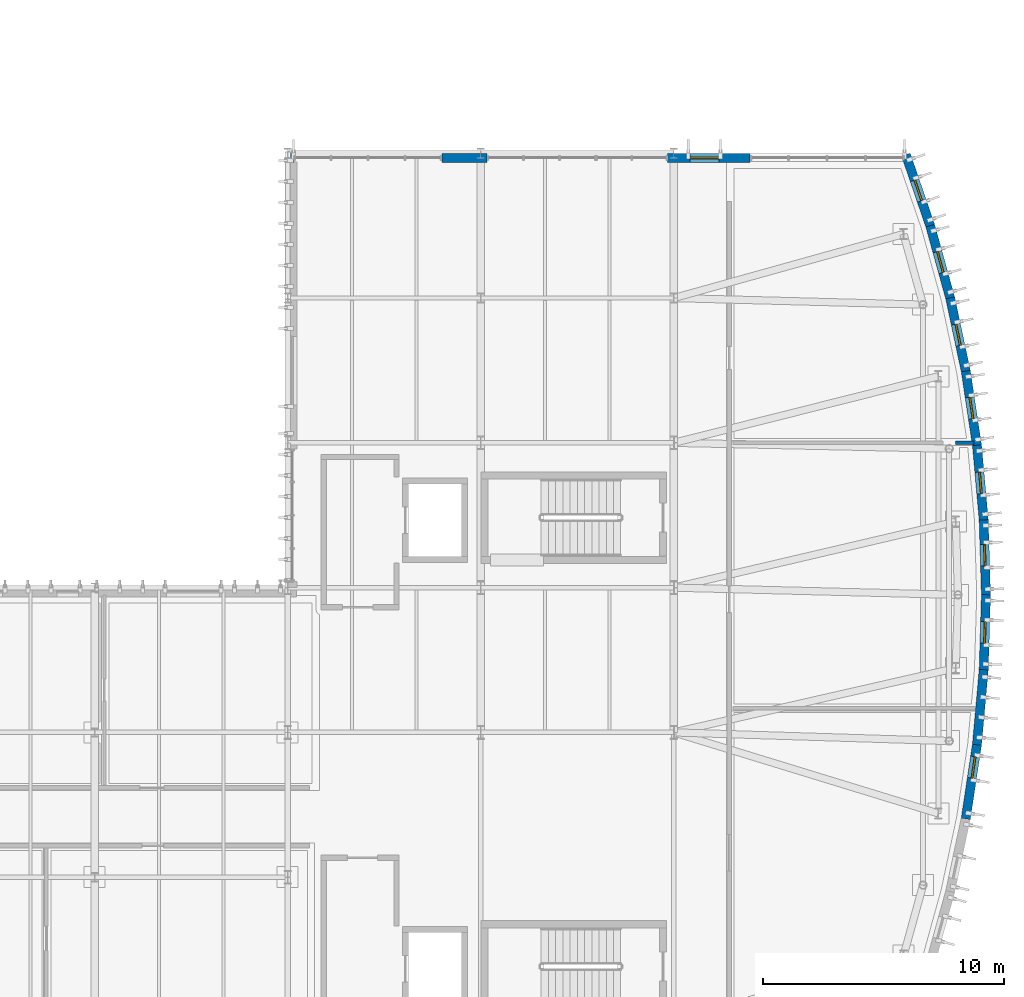
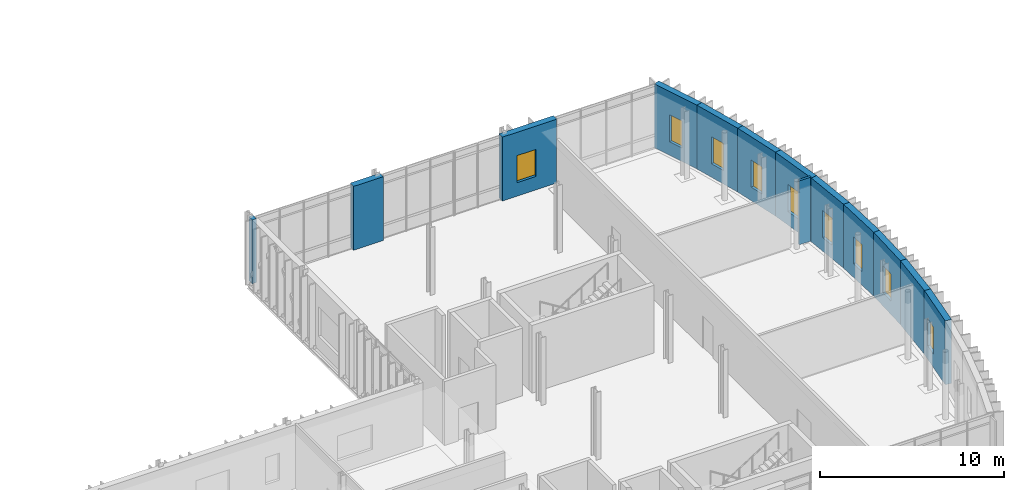
# One storey, part 66 of 86: 13 walls, 9 windows, 9 openings.
"""IFC4 building model written with IfcOpenShell, lengths in metres."""

from ifc_helpers import new_model, si_unit, direction, frame, frame_2d, origin, place, context, subcontext, project, spatial, rectangle, extrude, material, layer, layer_set, type_object, element, fill, save


model = new_model("IFC4")

# Units and contexts
model_context = context("Model", 3, precision=1e-05, world=origin(), true_north=direction((0.0, 1.0)))
body_context = subcontext(model_context, "Body", "Model", "MODEL_VIEW")
ifc_project = project(units=[si_unit("LENGTHUNIT", "METRE"), si_unit("AREAUNIT", "SQUARE_METRE"), si_unit("VOLUMEUNIT", "CUBIC_METRE"), si_unit("PLANEANGLEUNIT", "RADIAN"), si_unit("MASSUNIT", "GRAM", prefix="KILO")], contexts=[model_context])

# Site, building, storey
site_placement = place(None, origin())
site = spatial("IfcSite", under=ifc_project, at=site_placement, CompositionType="ELEMENT")
building_placement = place(site_placement, origin())
building = spatial("IfcBuilding", under=site, at=building_placement, Name="Cymarion Research Institute", CompositionType="ELEMENT")
storey_placement = place(building_placement, frame((0.0, 0.0, 13.800048828125)))
storey = spatial("IfcBuildingStorey", under=building, at=storey_placement, Name="L03", CompositionType="ELEMENT", Elevation=13.800048828125)

# Wall, opening, window
ifc_material_1 = material(Name="Precast concrete C40/50", Category="concrete")
ifc_layer_1 = layer(ifc_material_1, 0.3798828125)
ifc_layer_set_1 = layer_set([ifc_layer_1], Name="Precast concrete C40/50")
wall_type_1 = type_object("IfcWallType", Name="EXTERIOR WALL EW-PC380 380MM", PredefinedType="SOLIDWALL", material=ifc_layer_set_1)
wall_1_placement = place(storey_placement, frame((166.698486328125, 13.91650390625, 0.0), z_axis=(0.0, 0.0, 1.0), x_axis=(0.149218139282, 0.988804301624, 0.0)))
wall_1 = element("IfcWall", 1, at=wall_1_placement, inside=storey, type_object=wall_type_1, Name="L03 V1 exterior wall EW-PC380 #165", PredefinedType="SOLIDWALL", context=body_context, shape_type="SweptSolid", body=[
    extrude(rectangle(XDim=3.128173828125, YDim=0.3798828125, at=frame_2d((1.56396484375, 0.0))), origin(), (0.0, 0.0, 1.0), 4.25),
])
opening_1_placement = place(wall_1_placement, frame((1.7060546875, 0.0, 0.89990234375)))
opening_1 = element("IfcOpeningElement", 2, at=opening_1_placement, cuts=wall_1, Name="Opening W24", PredefinedType="OPENING", context=body_context, shape_type="SweptSolid", body=[
    extrude(rectangle(XDim=0.89990234375, YDim=1.800048828125, at=frame_2d((0.449951171875, 0.89990234375))), frame((0.0, 0.199951171875, 0.0), z_axis=(0.0, -1.0, 0.0), x_axis=(1.0, 0.0, 0.0)), (0.0, 0.0, 1.0), 0.39990234375),
])
ifc_material_2 = material(Name="Thermally broken aluminium window with Low-E glazing", Category="aluminium")
window_type_1 = type_object("IfcWindowType", Name="THERMALLY BROKEN ALUMINIUM WINDOW W24 900X1800", PartitioningType="SINGLE_PANEL", PredefinedType="WINDOW", material=ifc_material_2)
window_1_placement = place(opening_1_placement, origin())
window_1 = element("IfcWindow", 3, at=window_1_placement, inside=storey, type_object=window_type_1, Name="L03 V1 facade window W24 #311", OverallHeight=1.800048828125, OverallWidth=0.89990234375, PartitioningType="SINGLE_PANEL", PredefinedType="WINDOW", context=body_context, shape_type="SweptSolid", body=[
    extrude(rectangle(XDim=0.89990234375, YDim=1.800048828125, at=frame_2d((0.449951171875, 0.89990234375))), frame((0.0, 0.030029296875, 0.0), z_axis=(0.0, -1.0, 0.0), x_axis=(1.0, 0.0, 0.0)), (0.0, 0.0, 1.0), 0.06005859375),
])
fill(opening_1, window_1)

# Wall
wall_2_placement = place(storey_placement, frame((167.1630859375, 16.986572265625, 0.0), z_axis=(0.0, 0.0, 1.0), x_axis=(0.089747627339, 0.995964539222, 0.0)))
element("IfcWall", 4, at=wall_2_placement, inside=storey, type_object=wall_type_1, Name="L03 V1 exterior wall EW-PC380 #166", PredefinedType="SOLIDWALL", context=body_context, shape_type="SweptSolid", body=[
    extrude(rectangle(XDim=3.12841796875, YDim=0.3798828125, at=frame_2d((1.564208984375, 0.0))), origin(), (0.0, 0.0, 1.0), 4.25),
])

# Wall, opening, window
wall_3_placement = place(storey_placement, frame((167.44287109375, 20.078857421875, 0.0), z_axis=(0.0, 0.0, 1.0), x_axis=(0.02996779607, 0.999550864738, 0.0)))
wall_3 = element("IfcWall", 5, at=wall_3_placement, inside=storey, type_object=wall_type_1, Name="L03 V1 exterior wall EW-PC380 #167", PredefinedType="SOLIDWALL", context=body_context, shape_type="SweptSolid", body=[
    extrude(rectangle(XDim=3.12841796875, YDim=0.3798828125, at=frame_2d((1.564208984375, 0.0))), origin(), (0.0, 0.0, 1.0), 4.25),
])
opening_2_placement = place(wall_3_placement, frame((1.114013671875, 0.0, 0.89990234375)))
opening_2 = element("IfcOpeningElement", 6, at=opening_2_placement, cuts=wall_3, Name="Opening W24", PredefinedType="OPENING", context=body_context, shape_type="SweptSolid", body=[
    extrude(rectangle(XDim=0.89990234375, YDim=1.800048828125, at=frame_2d((0.449951171875, 0.89990234375))), frame((0.0, 0.199951171875, 0.0), z_axis=(0.0, -1.0, 0.0), x_axis=(1.0, 0.0, 0.0)), (0.0, 0.0, 1.0), 0.39990234375),
])
window_2_placement = place(opening_2_placement, origin())
window_2 = element("IfcWindow", 7, at=window_2_placement, inside=storey, type_object=window_type_1, Name="L03 V1 facade window W24 #312", OverallHeight=1.800048828125, OverallWidth=0.89990234375, PartitioningType="SINGLE_PANEL", PredefinedType="WINDOW", context=body_context, shape_type="SweptSolid", body=[
    extrude(rectangle(XDim=0.89990234375, YDim=1.800048828125, at=frame_2d((0.449951171875, 0.89990234375))), frame((0.0, 0.030029296875, 0.0), z_axis=(0.0, -1.0, 0.0), x_axis=(1.0, 0.0, 0.0)), (0.0, 0.0, 1.0), 0.06005859375),
])
fill(opening_2, window_2)

wall_4_placement = place(storey_placement, frame((167.536865234375, 23.182373046875, 0.0), z_axis=(0.0, 0.0, 1.0), x_axis=(-0.029970133922, 0.999550794644, 0.0)))
wall_4 = element("IfcWall", 8, at=wall_4_placement, inside=storey, type_object=wall_type_1, Name="L03 V1 exterior wall EW-PC380 #168", PredefinedType="SOLIDWALL", context=body_context, shape_type="SweptSolid", body=[
    extrude(rectangle(XDim=3.128173828125, YDim=0.3798828125, at=frame_2d((1.56396484375, 0.0))), origin(), (0.0, 0.0, 1.0), 4.25),
])
opening_3_placement = place(wall_4_placement, frame((1.214111328125, 0.0, 0.89990234375)))
opening_3 = element("IfcOpeningElement", 9, at=opening_3_placement, cuts=wall_4, Name="Opening W24", PredefinedType="OPENING", context=body_context, shape_type="SweptSolid", body=[
    extrude(rectangle(XDim=0.89990234375, YDim=1.800048828125, at=frame_2d((0.449951171875, 0.89990234375))), frame((0.0, 0.199951171875, 0.0), z_axis=(0.0, -1.0, 0.0), x_axis=(1.0, 0.0, 0.0)), (0.0, 0.0, 1.0), 0.39990234375),
])
window_3_placement = place(opening_3_placement, origin())
window_3 = element("IfcWindow", 10, at=window_3_placement, inside=storey, type_object=window_type_1, Name="L03 V1 facade window W24 #313", OverallHeight=1.800048828125, OverallWidth=0.89990234375, PartitioningType="SINGLE_PANEL", PredefinedType="WINDOW", context=body_context, shape_type="SweptSolid", body=[
    extrude(rectangle(XDim=0.89990234375, YDim=1.800048828125, at=frame_2d((0.449951171875, 0.89990234375))), frame((0.0, 0.030029296875, 0.0), z_axis=(0.0, -1.0, 0.0), x_axis=(1.0, 0.0, 0.0)), (0.0, 0.0, 1.0), 0.06005859375),
])
fill(opening_3, window_3)

wall_5_placement = place(storey_placement, frame((167.44482421875, 26.285888671875, 0.0), z_axis=(0.0, 0.0, 1.0), x_axis=(-0.089747627339, 0.995964539222, 0.0)))
wall_5 = element("IfcWall", 11, at=wall_5_placement, inside=storey, type_object=wall_type_1, Name="L03 V1 exterior wall EW-PC380 #169", PredefinedType="SOLIDWALL", context=body_context, shape_type="SweptSolid", body=[
    extrude(rectangle(XDim=3.12841796875, YDim=0.3798828125, at=frame_2d((1.564208984375, 0.0))), origin(), (0.0, 0.0, 1.0), 4.25),
])
opening_4_placement = place(wall_5_placement, frame((1.114013671875, 0.0, 0.89990234375)))
opening_4 = element("IfcOpeningElement", 12, at=opening_4_placement, cuts=wall_5, Name="Opening W24", PredefinedType="OPENING", context=body_context, shape_type="SweptSolid", body=[
    extrude(rectangle(XDim=0.89990234375, YDim=1.800048828125, at=frame_2d((0.449951171875, 0.89990234375))), frame((0.0, 0.199951171875, 0.0), z_axis=(0.0, -1.0, 0.0), x_axis=(1.0, 0.0, 0.0)), (0.0, 0.0, 1.0), 0.39990234375),
])
window_4_placement = place(opening_4_placement, origin())
window_4 = element("IfcWindow", 13, at=window_4_placement, inside=storey, type_object=window_type_1, Name="L03 V1 facade window W24 #314", OverallHeight=1.800048828125, OverallWidth=0.89990234375, PartitioningType="SINGLE_PANEL", PredefinedType="WINDOW", context=body_context, shape_type="SweptSolid", body=[
    extrude(rectangle(XDim=0.89990234375, YDim=1.800048828125, at=frame_2d((0.449951171875, 0.89990234375))), frame((0.0, 0.030029296875, 0.0), z_axis=(0.0, -1.0, 0.0), x_axis=(1.0, 0.0, 0.0)), (0.0, 0.0, 1.0), 0.06005859375),
])
fill(opening_4, window_4)

wall_6_placement = place(storey_placement, frame((167.167236328125, 29.37841796875, 0.0), z_axis=(0.0, 0.0, 1.0), x_axis=(-0.149305964746, 0.988791044099, 0.0)))
wall_6 = element("IfcWall", 14, at=wall_6_placement, inside=storey, type_object=wall_type_1, Name="L03 V1 exterior wall EW-PC380 #170", PredefinedType="SOLIDWALL", context=body_context, shape_type="SweptSolid", body=[
    extrude(rectangle(XDim=3.128173828125, YDim=0.3798828125, at=frame_2d((1.56396484375, 0.0))), origin(), (0.0, 0.0, 1.0), 4.25),
])
opening_5_placement = place(wall_6_placement, frame((1.132080078125, 0.0, 0.89990234375)))
opening_5 = element("IfcOpeningElement", 15, at=opening_5_placement, cuts=wall_6, Name="Opening W24", PredefinedType="OPENING", context=body_context, shape_type="SweptSolid", body=[
    extrude(rectangle(XDim=0.89990234375, YDim=1.800048828125, at=frame_2d((0.449951171875, 0.89990234375))), frame((0.0, 0.199951171875, 0.0), z_axis=(0.0, -1.0, 0.0), x_axis=(1.0, 0.0, 0.0)), (0.0, 0.0, 1.0), 0.39990234375),
])
window_5_placement = place(opening_5_placement, origin())
window_5 = element("IfcWindow", 16, at=window_5_placement, inside=storey, type_object=window_type_1, Name="L03 V1 facade window W24 #315", OverallHeight=1.800048828125, OverallWidth=0.89990234375, PartitioningType="SINGLE_PANEL", PredefinedType="WINDOW", context=body_context, shape_type="SweptSolid", body=[
    extrude(rectangle(XDim=0.89990234375, YDim=1.800048828125, at=frame_2d((0.449951171875, 0.89990234375))), frame((0.0, 0.030029296875, 0.0), z_axis=(0.0, -1.0, 0.0), x_axis=(1.0, 0.0, 0.0)), (0.0, 0.0, 1.0), 0.06005859375),
])
fill(opening_5, window_5)

wall_7_placement = place(storey_placement, frame((166.704833984375, 32.448486328125, 0.0), z_axis=(0.0, 0.0, 1.0), x_axis=(-0.208212486116, 0.978083616377, 0.0)))
wall_7 = element("IfcWall", 17, at=wall_7_placement, inside=storey, type_object=wall_type_1, Name="L03 V1 exterior wall EW-PC380 #171", PredefinedType="SOLIDWALL", context=body_context, shape_type="SweptSolid", body=[
    extrude(rectangle(XDim=3.12841796875, YDim=0.3798828125, at=frame_2d((1.564208984375, 0.0))), origin(), (0.0, 0.0, 1.0), 4.25),
])
opening_6_placement = place(wall_7_placement, frame((1.114013671875, 0.0, 0.89990234375)))
opening_6 = element("IfcOpeningElement", 18, at=opening_6_placement, cuts=wall_7, Name="Opening W24", PredefinedType="OPENING", context=body_context, shape_type="SweptSolid", body=[
    extrude(rectangle(XDim=0.89990234375, YDim=1.800048828125, at=frame_2d((0.449951171875, 0.89990234375))), frame((0.0, 0.199951171875, 0.0), z_axis=(0.0, -1.0, 0.0), x_axis=(1.0, 0.0, 0.0)), (0.0, 0.0, 1.0), 0.39990234375),
])
window_6_placement = place(opening_6_placement, origin())
window_6 = element("IfcWindow", 19, at=window_6_placement, inside=storey, type_object=window_type_1, Name="L03 V1 facade window W24 #316", OverallHeight=1.800048828125, OverallWidth=0.89990234375, PartitioningType="SINGLE_PANEL", PredefinedType="WINDOW", context=body_context, shape_type="SweptSolid", body=[
    extrude(rectangle(XDim=0.89990234375, YDim=1.800048828125, at=frame_2d((0.449951171875, 0.89990234375))), frame((0.0, 0.030029296875, 0.0), z_axis=(0.0, -1.0, 0.0), x_axis=(1.0, 0.0, 0.0)), (0.0, 0.0, 1.0), 0.06005859375),
])
fill(opening_6, window_6)

wall_8_placement = place(storey_placement, frame((166.059326171875, 35.485595703125, 0.0), z_axis=(0.0, 0.0, 1.0), x_axis=(-0.26649659626, 0.963835859564, 0.0)))
wall_8 = element("IfcWall", 20, at=wall_8_placement, inside=storey, type_object=wall_type_1, Name="L03 V1 exterior wall EW-PC380 #172", PredefinedType="SOLIDWALL", context=body_context, shape_type="SweptSolid", body=[
    extrude(rectangle(XDim=3.12841796875, YDim=0.3798828125, at=frame_2d((1.564208984375, 0.0))), origin(), (0.0, 0.0, 1.0), 4.25),
])
opening_7_placement = place(wall_8_placement, frame((1.114013671875, 0.0, 0.89990234375)))
opening_7 = element("IfcOpeningElement", 21, at=opening_7_placement, cuts=wall_8, Name="Opening W24", PredefinedType="OPENING", context=body_context, shape_type="SweptSolid", body=[
    extrude(rectangle(XDim=0.89990234375, YDim=1.800048828125, at=frame_2d((0.449951171875, 0.89990234375))), frame((0.0, 0.199951171875, 0.0), z_axis=(0.0, -1.0, 0.0), x_axis=(1.0, 0.0, 0.0)), (0.0, 0.0, 1.0), 0.39990234375),
])
window_7_placement = place(opening_7_placement, origin())
window_7 = element("IfcWindow", 22, at=window_7_placement, inside=storey, type_object=window_type_1, Name="L03 V1 facade window W24 #317", OverallHeight=1.800048828125, OverallWidth=0.89990234375, PartitioningType="SINGLE_PANEL", PredefinedType="WINDOW", context=body_context, shape_type="SweptSolid", body=[
    extrude(rectangle(XDim=0.89990234375, YDim=1.800048828125, at=frame_2d((0.449951171875, 0.89990234375))), frame((0.0, 0.030029296875, 0.0), z_axis=(0.0, -1.0, 0.0), x_axis=(1.0, 0.0, 0.0)), (0.0, 0.0, 1.0), 0.06005859375),
])
fill(opening_7, window_7)

wall_9_placement = place(storey_placement, frame((165.23291015625, 38.478515625, 0.0), z_axis=(0.0, 0.0, 1.0), x_axis=(-0.323709741108, 0.946156437124, 0.0)))
wall_9 = element("IfcWall", 23, at=wall_9_placement, inside=storey, type_object=wall_type_1, Name="L03 V1 exterior wall EW-PC380 #173", PredefinedType="SOLIDWALL", context=body_context, shape_type="SweptSolid", body=[
    extrude(rectangle(XDim=3.12841796875, YDim=0.3798828125, at=frame_2d((1.564208984375, 0.0))), origin(), (0.0, 0.0, 1.0), 4.25),
])
opening_8_placement = place(wall_9_placement, frame((1.114013671875, 0.0, 0.89990234375)))
opening_8 = element("IfcOpeningElement", 24, at=opening_8_placement, cuts=wall_9, Name="Opening W24", PredefinedType="OPENING", context=body_context, shape_type="SweptSolid", body=[
    extrude(rectangle(XDim=0.89990234375, YDim=1.800048828125, at=frame_2d((0.449951171875, 0.89990234375))), frame((0.0, 0.199951171875, 0.0), z_axis=(0.0, -1.0, 0.0), x_axis=(1.0, 0.0, 0.0)), (0.0, 0.0, 1.0), 0.39990234375),
])
window_8_placement = place(opening_8_placement, origin())
window_8 = element("IfcWindow", 25, at=window_8_placement, inside=storey, type_object=window_type_1, Name="L03 V1 facade window W24 #318", OverallHeight=1.800048828125, OverallWidth=0.89990234375, PartitioningType="SINGLE_PANEL", PredefinedType="WINDOW", context=body_context, shape_type="SweptSolid", body=[
    extrude(rectangle(XDim=0.89990234375, YDim=1.800048828125, at=frame_2d((0.449951171875, 0.89990234375))), frame((0.0, 0.030029296875, 0.0), z_axis=(0.0, -1.0, 0.0), x_axis=(1.0, 0.0, 0.0)), (0.0, 0.0, 1.0), 0.06005859375),
])
fill(opening_8, window_8)

wall_10_placement = place(storey_placement, frame((157.759765625, 41.31005859375, 0.0), z_axis=(0.0, 0.0, 1.0), x_axis=(-1.0, 0.0, 0.0)))
wall_10 = element("IfcWall", 26, at=wall_10_placement, inside=storey, type_object=wall_type_1, Name="L03 V1 facade pier wall EW-PC380 #174", PredefinedType="SOLIDWALL", context=body_context, shape_type="SweptSolid", body=[
    extrude(rectangle(XDim=3.419677734375, YDim=0.3798828125, at=frame_2d((1.7099609375, 0.0))), origin(), (0.0, 0.0, 1.0), 4.25),
])
opening_9_placement = place(wall_10_placement, frame((1.2900390625, 0.0, 0.89990234375)))
opening_9 = element("IfcOpeningElement", 27, at=opening_9_placement, cuts=wall_10, Name="Opening W01", PredefinedType="OPENING", context=body_context, shape_type="SweptSolid", body=[
    extrude(rectangle(XDim=1.199951171875, YDim=1.800048828125, at=frame_2d((0.60009765625, 0.89990234375))), frame((0.0, 0.199951171875, 0.0), z_axis=(0.0, -1.0, 0.0), x_axis=(1.0, 0.0, 0.0)), (0.0, 0.0, 1.0), 0.39990234375),
])
window_type_2 = type_object("IfcWindowType", Name="THERMALLY BROKEN ALUMINIUM WINDOW W01 1200X1800", PartitioningType="SINGLE_PANEL", PredefinedType="WINDOW", material=ifc_material_2)
window_9_placement = place(opening_9_placement, origin())
window_9 = element("IfcWindow", 28, at=window_9_placement, inside=storey, type_object=window_type_2, Name="L03 V1 facade window W01 #319", OverallHeight=1.800048828125, OverallWidth=1.199951171875, PartitioningType="SINGLE_PANEL", PredefinedType="WINDOW", context=body_context, shape_type="SweptSolid", body=[
    extrude(rectangle(XDim=1.199951171875, YDim=1.800048828125, at=frame_2d((0.60009765625, 0.89990234375))), frame((0.0, 0.030029296875, 0.0), z_axis=(0.0, -1.0, 0.0), x_axis=(1.0, 0.0, 0.0)), (0.0, 0.0, 1.0), 0.06005859375),
])
fill(opening_9, window_9)

# Walls
wall_11_placement = place(storey_placement, frame((146.860107421875, 41.31005859375, 0.0), z_axis=(0.0, 0.0, 1.0), x_axis=(-1.0, 0.0, 0.0)))
element("IfcWall", 29, at=wall_11_placement, inside=storey, type_object=wall_type_1, Name="L03 V1 facade pier wall EW-PC380 #175", PredefinedType="SOLIDWALL", context=body_context, shape_type="SweptSolid", body=[
    extrude(rectangle(XDim=1.87353515625, YDim=0.3798828125, at=frame_2d((0.936767578125, 0.0))), origin(), (0.0, 0.0, 1.0), 4.25),
])
wall_12_placement = place(storey_placement, frame((138.860107421875, 41.31005859375, 0.0), z_axis=(0.0, 0.0, 1.0), x_axis=(-1.0, 0.0, 0.0)))
element("IfcWall", 30, at=wall_12_placement, inside=storey, type_object=wall_type_1, Name="L03 V1 facade pier wall EW-PC380 #176", PredefinedType="SOLIDWALL", context=body_context, shape_type="SweptSolid", body=[
    extrude(rectangle(XDim=0.260009765625, YDim=0.3798828125, at=frame_2d((0.1298828125, 0.0))), origin(), (0.0, 0.0, 1.0), 4.25),
])
ifc_material_3 = material(Name="Gypsum acoustic double-stud partition", Category="gypsum")
ifc_layer_2 = layer(ifc_material_3, 0.14990234375)
ifc_layer_set_2 = layer_set([ifc_layer_2], Name="Gypsum acoustic double-stud partition")
wall_type_2 = type_object("IfcWallType", Name="INTERIOR PARTITION IW-AC150 150MM", PredefinedType="PARTITIONING", material=ifc_layer_set_2)
wall_13_placement = place(storey_placement, frame((166.262939453125, 29.5, 0.0), z_axis=(0.0, 0.0, 1.0), x_axis=(1.0, 0.0, 0.0)))
element("IfcWall", 31, at=wall_13_placement, inside=storey, type_object=wall_type_2, Name="L03 V1 interior partition IW-AC150 #229", PredefinedType="PARTITIONING", context=body_context, shape_type="SweptSolid", body=[
    extrude(rectangle(XDim=0.769775390625, YDim=0.14990234375, at=frame_2d((0.384765625, 0.0))), origin(), (0.0, 0.0, 1.0), 4.25),
])

save(model, "model.ifc")
